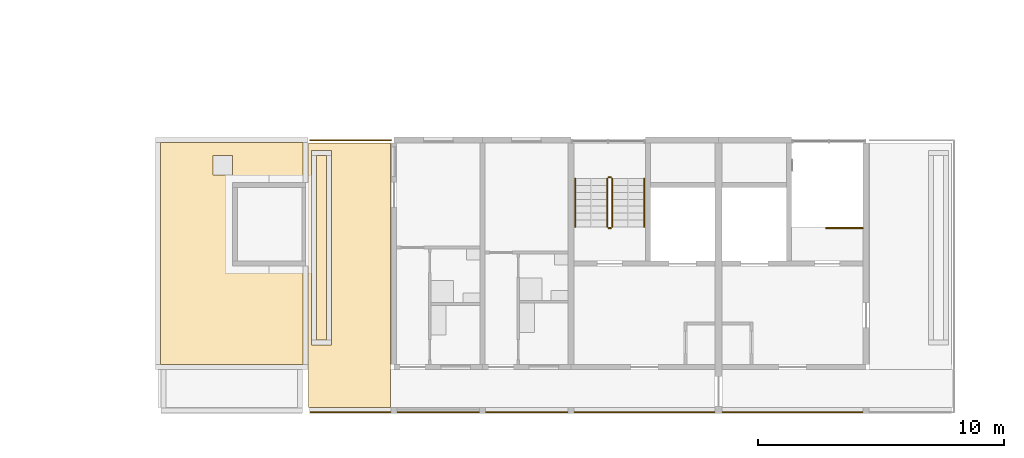
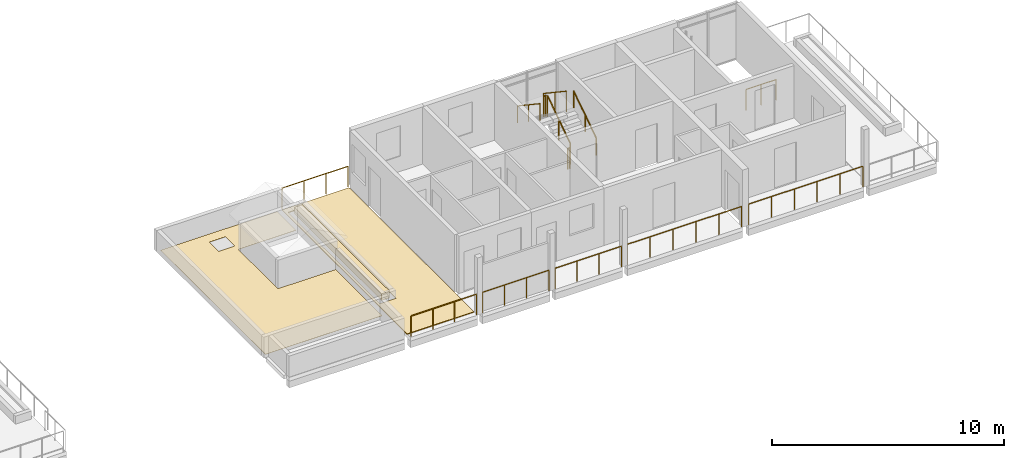
# One storey, part 33 of 41: 13 railings, 4 coverings.
"""IFC4 building model written with IfcOpenShell, lengths in metres."""

from ifc_helpers import new_model, si_unit, direction, frame, origin, origin_2d, place, context, subcontext, project, spatial, polyline, circle, outline, extrude, material, layer, layer_set, type_object, element, save


model = new_model("IFC4")

# Units and contexts
model_context = context("Model", 3, precision=1e-05, world=origin(), true_north=direction((0.0, 1.0)))
body_context = subcontext(model_context, "Body", "Model", "MODEL_VIEW")
ifc_project = project(units=[si_unit("LENGTHUNIT", "METRE"), si_unit("AREAUNIT", "SQUARE_METRE"), si_unit("VOLUMEUNIT", "CUBIC_METRE"), si_unit("PLANEANGLEUNIT", "RADIAN"), si_unit("MASSUNIT", "GRAM", prefix="KILO")], contexts=[model_context])

# Site, building, storey
site_placement = place(None, origin())
site = spatial("IfcSite", under=ifc_project, at=site_placement, CompositionType="ELEMENT")
building_placement = place(site_placement, origin())
building = spatial("IfcBuilding", under=site, at=building_placement, Name="Ridgestep Commons", CompositionType="ELEMENT")
storey_placement = place(building_placement, frame((0.0, 0.0, 39.0)))
storey = spatial("IfcBuildingStorey", under=building, at=storey_placement, Name="L13", CompositionType="ELEMENT", Elevation=39.0)

# Railings
ifc_material_1 = material(Name="Structural steel S355JR", Category="steel")
railing_type_1 = type_object("IfcRailingType", Name="Guard 1100", PredefinedType="GUARDRAIL", material=ifc_material_1)
railing_1_placement = place(storey_placement, frame((79.389892578125, 22.875, 0.0)))
element("IfcRailing", 1, at=railing_1_placement, inside=storey, type_object=railing_type_1, Name="Guard TD-A5R1-GD", PredefinedType="GUARDRAIL", context=body_context, shape_type="SweptSolid", body=[
    extrude(circle(Radius=0.02392578125, at=origin_2d()), frame((0.0, 0.0, 1.076171875), z_axis=(1.0, 0.0, 0.0), x_axis=(0.0, 1.0, 0.0)), (0.0, 0.0, 1.0), 3.2890625),
    extrude(circle(Radius=0.02099609375, at=origin_2d()), origin(), (0.0, 0.0, 1.0), 1.052001953125),
    extrude(circle(Radius=0.02099609375, at=origin_2d()), frame((1.096435546875, 0.0, 0.0)), (0.0, 0.0, 1.0), 1.052001953125),
    extrude(circle(Radius=0.02099609375, at=origin_2d()), frame((2.192626953125, 0.0, 0.0)), (0.0, 0.0, 1.0), 1.052001953125),
    extrude(circle(Radius=0.02099609375, at=origin_2d()), frame((3.2890625, 0.0, 0.0)), (0.0, 0.0, 1.0), 1.052001953125),
])
railing_2_placement = place(storey_placement, frame((79.410888671875, 11.800048828125, 0.0)))
element("IfcRailing", 2, at=railing_2_placement, inside=storey, type_object=railing_type_1, Name="Gallery guard A 13.2", PredefinedType="GUARDRAIL", context=body_context, shape_type="SweptSolid", body=[
    extrude(circle(Radius=0.02392578125, at=origin_2d()), frame((0.0, 0.0, 1.076171875), z_axis=(1.0, 0.0, 0.0), x_axis=(0.0, 1.0, 0.0)), (0.0, 0.0, 1.0), 3.2431640625),
    extrude(circle(Radius=0.02099609375, at=origin_2d()), origin(), (0.0, 0.0, 1.0), 1.052001953125),
    extrude(circle(Radius=0.02099609375, at=origin_2d()), frame((1.0810546875, 0.0, 0.0)), (0.0, 0.0, 1.0), 1.052001953125),
    extrude(circle(Radius=0.02099609375, at=origin_2d()), frame((2.162109375, 0.0, 0.0)), (0.0, 0.0, 1.0), 1.052001953125),
    extrude(circle(Radius=0.02099609375, at=origin_2d()), frame((3.2431640625, 0.0, 0.0)), (0.0, 0.0, 1.0), 1.052001953125),
])
railing_3_placement = place(storey_placement, frame((82.946044921875, 11.800048828125, 0.0)))
element("IfcRailing", 3, at=railing_3_placement, inside=storey, type_object=railing_type_1, Name="Gallery guard A 13.3", PredefinedType="GUARDRAIL", context=body_context, shape_type="SweptSolid", body=[
    extrude(circle(Radius=0.02392578125, at=origin_2d()), frame((0.0, 0.0, 1.076171875), z_axis=(1.0, 0.0, 0.0), x_axis=(0.0, 1.0, 0.0)), (0.0, 0.0, 1.0), 3.307861328125),
    extrude(circle(Radius=0.02099609375, at=origin_2d()), origin(), (0.0, 0.0, 1.0), 1.052001953125),
    extrude(circle(Radius=0.02099609375, at=origin_2d()), frame((1.1025390625, 0.0, 0.0)), (0.0, 0.0, 1.0), 1.052001953125),
    extrude(circle(Radius=0.02099609375, at=origin_2d()), frame((2.205322265625, 0.0, 0.0)), (0.0, 0.0, 1.0), 1.052001953125),
    extrude(circle(Radius=0.02099609375, at=origin_2d()), frame((3.307861328125, 0.0, 0.0)), (0.0, 0.0, 1.0), 1.052001953125),
])
railing_4_placement = place(storey_placement, frame((86.5458984375, 11.800048828125, 0.0)))
element("IfcRailing", 4, at=railing_4_placement, inside=storey, type_object=railing_type_1, Name="Gallery guard A 13.4", PredefinedType="GUARDRAIL", context=body_context, shape_type="SweptSolid", body=[
    extrude(circle(Radius=0.02392578125, at=origin_2d()), frame((0.0, 0.0, 1.076171875), z_axis=(1.0, 0.0, 0.0), x_axis=(0.0, 1.0, 0.0)), (0.0, 0.0, 1.0), 3.30810546875),
    extrude(circle(Radius=0.02099609375, at=origin_2d()), origin(), (0.0, 0.0, 1.0), 1.052001953125),
    extrude(circle(Radius=0.02099609375, at=origin_2d()), frame((1.102783203125, 0.0, 0.0)), (0.0, 0.0, 1.0), 1.052001953125),
    extrude(circle(Radius=0.02099609375, at=origin_2d()), frame((2.205322265625, 0.0, 0.0)), (0.0, 0.0, 1.0), 1.052001953125),
    extrude(circle(Radius=0.02099609375, at=origin_2d()), frame((3.30810546875, 0.0, 0.0)), (0.0, 0.0, 1.0), 1.052001953125),
])
for number, where, name in (
    (5, (90.14599609375, 11.800048828125, 0.0), "Gallery guard A 13.5"),
    (6, (96.1708984375, 11.800048828125, 0.0), "Gallery guard A 13.6"),
):
    element("IfcRailing", number, at=place(storey_placement, frame(where)), inside=storey, type_object=railing_type_1, Name=name, PredefinedType="GUARDRAIL", context=body_context, shape_type="SweptSolid", body=[
        extrude(circle(Radius=0.02392578125, at=origin_2d()), frame((0.0, 0.0, 1.076171875), z_axis=(1.0, 0.0, 0.0), x_axis=(0.0, 1.0, 0.0)), (0.0, 0.0, 1.0), 5.68310546875),
        extrude(circle(Radius=0.02099609375, at=origin_2d()), origin(), (0.0, 0.0, 1.0), 1.052001953125),
        extrude(circle(Radius=0.02099609375, at=origin_2d()), frame((1.13671875, 0.0, 0.0)), (0.0, 0.0, 1.0), 1.052001953125),
        extrude(circle(Radius=0.02099609375, at=origin_2d()), frame((2.273193359375, 0.0, 0.0)), (0.0, 0.0, 1.0), 1.052001953125),
        extrude(circle(Radius=0.02099609375, at=origin_2d()), frame((3.409912109375, 0.0, 0.0)), (0.0, 0.0, 1.0), 1.052001953125),
        extrude(circle(Radius=0.02099609375, at=origin_2d()), frame((4.54638671875, 0.0, 0.0)), (0.0, 0.0, 1.0), 1.052001953125),
        extrude(circle(Radius=0.02099609375, at=origin_2d()), frame((5.68310546875, 0.0, 0.0)), (0.0, 0.0, 1.0), 1.052001953125),
    ])

# Coverings
ifc_material_2 = material(Name="Planting soil")
ifc_layer_1 = layer(ifc_material_2, 0.35009765625)
ifc_layer_set_1 = layer_set([ifc_layer_1], Name="Planting soil 350")
covering_type_1 = type_object("IfcCoveringType", Name="Planting soil 350", PredefinedType="FLOORING", material=ifc_layer_set_1)
covering_1_placement = place(storey_placement, frame((0.0, 0.0, 0.010009765625)))
element("IfcCovering", 7, at=covering_1_placement, inside=storey, type_object=covering_type_1, Name="Planting soil A5R1", PredefinedType="FLOORING", context=body_context, shape_type="SweptSolid", body=[
    extrude(outline(polyline([(79.64990234375, 14.75), (80.050048828125, 14.75), (80.050048828125, 22.25), (79.64990234375, 22.25), (79.64990234375, 14.75)])), origin(), (0.0, 0.0, 1.0), 0.35009765625),
])
ifc_material_3 = material(Name="Bitumen membrane, two layer")
ifc_layer_2 = layer(ifc_material_3, 0.011962890625)
ifc_layer_set_2 = layer_set([ifc_layer_2], Name="Roof membrane 12")
covering_type_2 = type_object("IfcCoveringType", Name="Roof membrane 12", PredefinedType="ROOFING", material=ifc_layer_set_2)
covering_2_placement = place(storey_placement, origin())
element("IfcCovering", 8, at=covering_2_placement, inside=storey, type_object=covering_type_2, Name="Roof membrane A4C", PredefinedType="ROOFING", context=body_context, shape_type="SweptSolid", body=[
    extrude(outline(polyline([(73.300048828125, 13.75), (73.300048828125, 22.77490234375), (79.10009765625, 22.77490234375), (79.10009765625, 21.14990234375), (76.22509765625, 21.14990234375), (76.22509765625, 17.75), (79.10009765625, 17.75), (79.10009765625, 13.75), (73.300048828125, 13.75)]), holes=[polyline([(76.22509765625, 22.25), (75.425048828125, 22.25), (75.425048828125, 21.449951171875), (76.22509765625, 21.449951171875), (76.22509765625, 22.25)])]), origin(), (0.0, 0.0, 1.0), 0.011962890625),
])

# Railings
ifc_material_4 = material(Name="Structural steel S355JR", Category="steel")
railing_type_2 = type_object("IfcRailingType", Name="Stair guard 1100", PredefinedType="GUARDRAIL", material=ifc_material_4)
railing_5_placement = place(storey_placement, frame((91.675048828125, 19.35009765625, 0.1875)))
element("IfcRailing", 9, at=railing_5_placement, inside=storey, type_object=railing_type_2, Name="L13 A5C stair guard 1", PredefinedType="GUARDRAIL", context=body_context, shape_type="SweptSolid", body=[
    extrude(circle(Radius=0.02392578125, at=origin_2d()), frame((0.0, 0.0, 1.076171875), z_axis=(0.0, 0.830902050051, 0.556418712142), x_axis=(-1.0, 0.0, 0.0)), (0.0, 0.0, 1.0), 2.35888671875),
    extrude(circle(Radius=0.02099609375, at=origin_2d()), origin(), (0.0, 0.0, 1.0), 1.052001953125),
    extrude(circle(Radius=0.02099609375, at=origin_2d()), frame((0.0, 0.97998046875, 0.65625)), (0.0, 0.0, 1.0), 1.052001953125),
    extrude(circle(Radius=0.02099609375, at=origin_2d()), frame((0.0, 1.9599609375, 1.3125)), (0.0, 0.0, 1.0), 1.052001953125),
])
railing_6_placement = place(storey_placement, frame((91.625, 21.360107421875, 1.5)))
element("IfcRailing", 10, at=railing_6_placement, inside=storey, type_object=railing_type_2, Name="L13 A5C stair guard 2", PredefinedType="GUARDRAIL", context=body_context, shape_type="SweptSolid", body=[
    extrude(circle(Radius=0.02392578125, at=origin_2d()), frame((0.0, 0.0, 1.076171875), z_axis=(-1.0, 0.0, 0.0), x_axis=(0.0, -1.0, 0.0)), (0.0, 0.0, 1.0), 0.10009765625),
    extrude(circle(Radius=0.02099609375, at=origin_2d()), origin(), (0.0, 0.0, 1.0), 1.052001953125),
    extrude(circle(Radius=0.02099609375, at=origin_2d()), frame((-0.10009765625, 0.0, 0.0)), (0.0, 0.0, 1.0), 1.052001953125),
])
railing_7_placement = place(storey_placement, frame((91.47509765625, 21.31005859375, 1.6875)))
element("IfcRailing", 11, at=railing_7_placement, inside=storey, type_object=railing_type_2, Name="L13 A5C stair guard 3", PredefinedType="GUARDRAIL", context=body_context, shape_type="SweptSolid", body=[
    extrude(circle(Radius=0.02392578125, at=origin_2d()), frame((0.0, 0.0, 1.076171875), z_axis=(0.0, -0.830902050051, 0.556418712142), x_axis=(1.0, 0.0, 0.0)), (0.0, 0.0, 1.0), 2.35888671875),
    extrude(circle(Radius=0.02099609375, at=origin_2d()), origin(), (0.0, 0.0, 1.0), 1.052001953125),
    extrude(circle(Radius=0.02099609375, at=origin_2d()), frame((0.0, -0.97998046875, 0.65625)), (0.0, 0.0, 1.0), 1.052001953125),
    extrude(circle(Radius=0.02099609375, at=origin_2d()), frame((0.0, -1.9599609375, 1.3125)), (0.0, 0.0, 1.0), 1.052001953125),
])
railing_8_placement = place(storey_placement, frame((91.625, 19.300048828125, 0.0)))
element("IfcRailing", 12, at=railing_8_placement, inside=storey, type_object=railing_type_2, Name="L13 A5C stair guard 4", PredefinedType="GUARDRAIL", context=body_context, shape_type="SweptSolid", body=[
    extrude(circle(Radius=0.02392578125, at=origin_2d()), frame((0.0, 0.0, 1.076171875), z_axis=(-1.0, 0.0, 0.0), x_axis=(0.0, -1.0, 0.0)), (0.0, 0.0, 1.0), 0.10009765625),
    extrude(circle(Radius=0.02099609375, at=origin_2d()), origin(), (0.0, 0.0, 1.0), 1.052001953125),
    extrude(circle(Radius=0.02099609375, at=origin_2d()), frame((-0.10009765625, 0.0, 0.0)), (0.0, 0.0, 1.0), 1.052001953125),
])
railing_9_placement = place(storey_placement, frame((101.875, 19.300048828125, 0.0)))
element("IfcRailing", 13, at=railing_9_placement, inside=storey, type_object=railing_type_2, Name="L13 A6C top well guard 1", PredefinedType="GUARDRAIL", context=body_context, shape_type="SweptSolid", body=[
    extrude(circle(Radius=0.02392578125, at=origin_2d()), frame((0.0, 0.0, 1.076171875), z_axis=(-1.0, 0.0, 0.0), x_axis=(0.0, -1.0, 0.0)), (0.0, 0.0, 1.0), 1.5),
    extrude(circle(Radius=0.02099609375, at=origin_2d()), origin(), (0.0, 0.0, 1.0), 1.052001953125),
    extrude(circle(Radius=0.02099609375, at=origin_2d()), frame((-0.75, 0.0, 0.0)), (0.0, 0.0, 1.0), 1.052001953125),
    extrude(circle(Radius=0.02099609375, at=origin_2d()), frame((-1.5, 0.0, 0.0)), (0.0, 0.0, 1.0), 1.052001953125),
])
ifc_material_5 = material(Name="Structural steel S355JR", Category="steel")
railing_type_3 = type_object("IfcRailingType", Name="Stair handrail 900", PredefinedType="HANDRAIL", material=ifc_material_5)
railing_10_placement = place(storey_placement, frame((92.97509765625, 19.35009765625, 0.1875)))
element("IfcRailing", 14, at=railing_10_placement, inside=storey, type_object=railing_type_3, Name="L13 A5C stair handrail 1", PredefinedType="HANDRAIL", context=body_context, shape_type="SweptSolid", body=[
    extrude(circle(Radius=0.02392578125, at=origin_2d()), frame((0.0, 0.0, 0.8759765625), z_axis=(0.0, 0.830902050051, 0.556418712142), x_axis=(-1.0, 0.0, 0.0)), (0.0, 0.0, 1.0), 2.35888671875),
    extrude(circle(Radius=0.02099609375, at=origin_2d()), origin(), (0.0, 0.0, 1.0), 0.851806640625),
    extrude(circle(Radius=0.02099609375, at=origin_2d()), frame((0.0, 0.97998046875, 0.65625)), (0.0, 0.0, 1.0), 0.851806640625),
    extrude(circle(Radius=0.02099609375, at=origin_2d()), frame((0.0, 1.9599609375, 1.3125)), (0.0, 0.0, 1.0), 0.851806640625),
])
railing_11_placement = place(storey_placement, frame((90.175048828125, 21.31005859375, 1.6875)))
element("IfcRailing", 15, at=railing_11_placement, inside=storey, type_object=railing_type_3, Name="L13 A5C stair handrail 2", PredefinedType="HANDRAIL", context=body_context, shape_type="SweptSolid", body=[
    extrude(circle(Radius=0.02392578125, at=origin_2d()), frame((0.0, 0.0, 0.8759765625), z_axis=(0.0, -0.830902050051, 0.556418712142), x_axis=(1.0, 0.0, 0.0)), (0.0, 0.0, 1.0), 2.35888671875),
    extrude(circle(Radius=0.02099609375, at=origin_2d()), origin(), (0.0, 0.0, 1.0), 0.851806640625),
    extrude(circle(Radius=0.02099609375, at=origin_2d()), frame((0.0, -0.97998046875, 0.65625)), (0.0, 0.0, 1.0), 0.851806640625),
    extrude(circle(Radius=0.02099609375, at=origin_2d()), frame((0.0, -1.9599609375, 1.3125)), (0.0, 0.0, 1.0), 0.851806640625),
])

# Coverings
ifc_material_6 = material(Name="Bitumen membrane, two layer")
ifc_layer_3 = layer(ifc_material_6, 0.010009765625)
ifc_layer_set_3 = layer_set([ifc_layer_3], Name="Terrace membrane 10")
covering_type_3 = type_object("IfcCoveringType", Name="Terrace membrane 10", PredefinedType="ROOFING", material=ifc_layer_set_3)
covering_3_placement = place(storey_placement, origin())
element("IfcCovering", 16, at=covering_3_placement, inside=storey, type_object=covering_type_3, Name="Terrace membrane A5R1", PredefinedType="ROOFING", context=body_context, shape_type="SweptSolid", body=[
    extrude(outline(polyline([(82.64990234375, 12.0), (82.64990234375, 22.75), (79.324951171875, 22.75), (79.324951171875, 12.0), (82.64990234375, 12.0)]), holes=[polyline([(80.25, 14.550048828125), (80.25, 22.449951171875), (79.449951171875, 22.449951171875), (79.449951171875, 14.550048828125), (80.25, 14.550048828125)])]), origin(), (0.0, 0.0, 1.0), 0.010009765625),
])
ifc_material_7 = material(Name="Concrete paving slab", Category="concrete")
ifc_layer_4 = layer(ifc_material_7, 0.030029296875)
ifc_layer_set_4 = layer_set([ifc_layer_4], Name="Terrace paving 30")
covering_type_4 = type_object("IfcCoveringType", Name="Terrace paving 30", PredefinedType="FLOORING", material=ifc_layer_set_4)
covering_4_placement = place(storey_placement, frame((0.0, 0.0, 0.010009765625)))
element("IfcCovering", 17, at=covering_4_placement, inside=storey, type_object=covering_type_4, Name="Terrace paving A5R1", PredefinedType="FLOORING", context=body_context, shape_type="SweptSolid", body=[
    extrude(outline(polyline([(82.64990234375, 12.0), (82.64990234375, 22.75), (79.324951171875, 22.75), (79.324951171875, 12.0), (82.64990234375, 12.0)]), holes=[polyline([(80.25, 14.550048828125), (80.25, 22.449951171875), (79.449951171875, 22.449951171875), (79.449951171875, 14.550048828125), (80.25, 14.550048828125)])]), origin(), (0.0, 0.0, 1.0), 0.030029296875),
])

save(model, "model.ifc")
